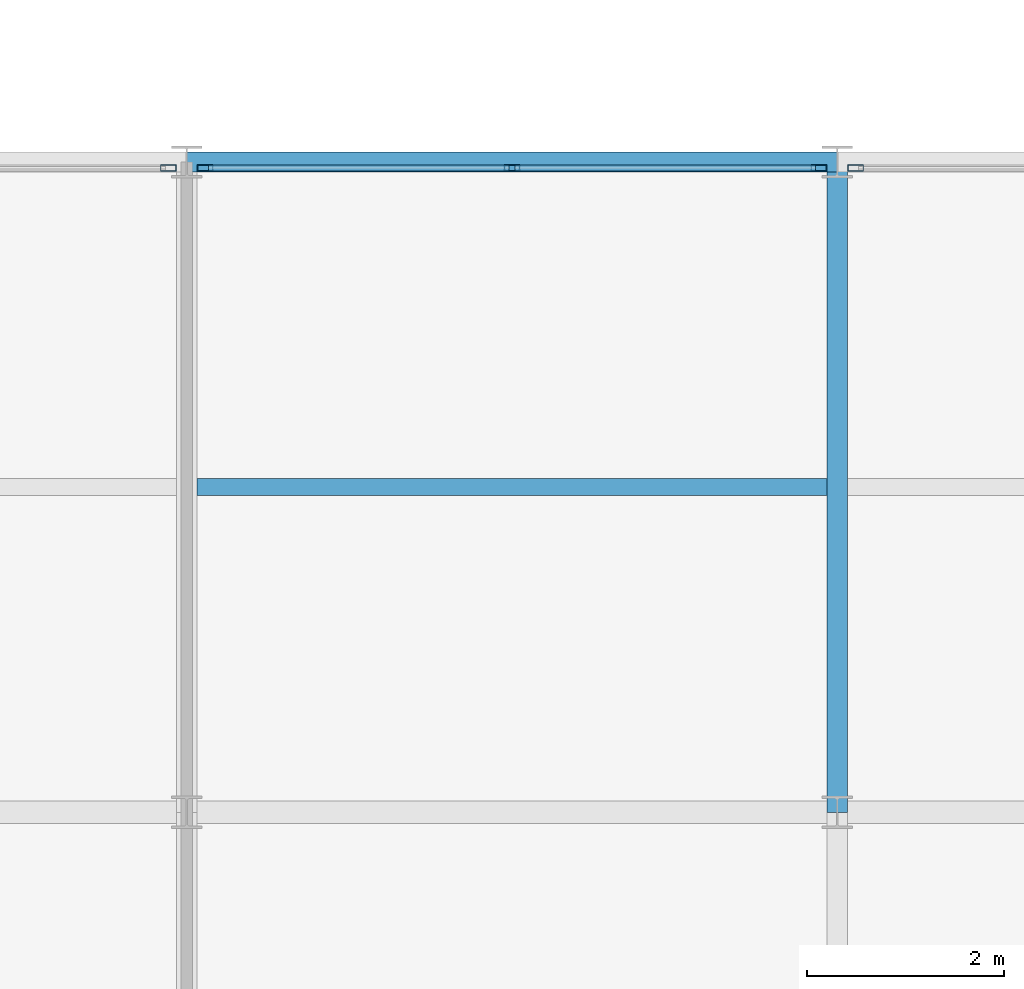
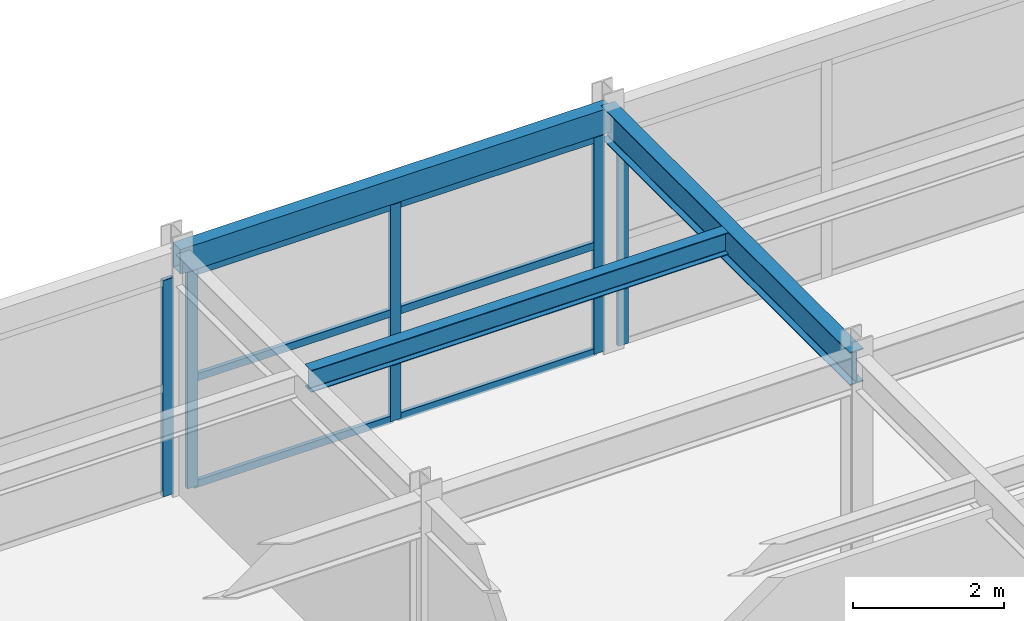
# One storey, part 55 of 134: 11 members, 3 beams, 3 elements without a shape of their own.
"""IFC4 building model written with IfcOpenShell, lengths in metres."""

from ifc_helpers import new_model, si_unit, direction, frame, origin, origin_2d, place, context, subcontext, project, spatial, hollow_rectangle, i_section, extrude, material, material_profile, profile_set, type_object, element, aggregate, save


model = new_model("IFC4")

# Units and contexts
model_context = context("Model", 3, precision=1e-05, world=origin(), true_north=direction((0.0, 1.0)))
body_context = subcontext(model_context, "Body", "Model", "MODEL_VIEW")
ifc_project = project(units=[si_unit("LENGTHUNIT", "METRE"), si_unit("AREAUNIT", "SQUARE_METRE"), si_unit("VOLUMEUNIT", "CUBIC_METRE"), si_unit("PLANEANGLEUNIT", "RADIAN"), si_unit("MASSUNIT", "GRAM", prefix="KILO")], contexts=[model_context])

# Site, building, storey
site_placement = place(None, origin())
site = spatial("IfcSite", under=ifc_project, at=site_placement, CompositionType="ELEMENT")
building_placement = place(site_placement, origin())
building = spatial("IfcBuilding", under=site, at=building_placement, Name="Karori Crest Natural Sciences Institute", CompositionType="ELEMENT")
storey_placement = place(building_placement, frame((0.0, 0.0, 21.699951171875)))
storey = spatial("IfcBuildingStorey", under=building, at=storey_placement, Name="L05", CompositionType="ELEMENT", Elevation=21.699951171875)

# Beams
ifc_material_1 = material(Name="Structural steel AS/NZS 3679.1 Grade 350", Category="steel")
ifc_material_profile_1 = material_profile(ifc_material_1, i_section(OverallWidth=0.208984375, OverallDepth=0.532958984375, WebThickness=0.01025390625, FlangeThickness=0.015625, FilletRadius=0.013916015625, at=origin_2d()), Name="530UB92.4")
ifc_profile_set_1 = profile_set([ifc_material_profile_1], Name="Structural steel AS/NZS 3679.1 Grade 350")
beam_type_1 = type_object("IfcBeamType", Name="BT-05", PredefinedType="BEAM", material=ifc_profile_set_1)
beam_1_placement = place(storey_placement, frame((116.800048828125, 14.0, 3.653564453125), z_axis=(0.0, 1.0, 0.0), x_axis=(-1.0, 0.0, 0.0)))
element("IfcBeam", 1, at=beam_1_placement, inside=storey, type_object=beam_type_1, Name="Beam B-2496", PredefinedType="BEAM", context=body_context, shape_type="SweptSolid", body=[
    extrude(i_section(OverallWidth=0.208984375, OverallDepth=0.532958984375, WebThickness=0.01025390625, FlangeThickness=0.015625, FilletRadius=0.013916015625, at=origin_2d()), origin(), (0.0, 0.0, 1.0), 6.60009765625),
])
ifc_material_profile_2 = material_profile(ifc_material_1, i_section(OverallWidth=0.172119140625, OverallDepth=0.35888671875, WebThickness=0.008056640625, FlangeThickness=0.012939453125, FilletRadius=0.010986328125, at=origin_2d()), Name="360UB56.7")
ifc_profile_set_2 = profile_set([ifc_material_profile_2], Name="Structural steel AS/NZS 3679.1 Grade 350")
beam_type_2 = type_object("IfcBeamType", Name="BT-08", PredefinedType="BEAM", material=ifc_profile_set_2)
beam_2_placement = place(storey_placement, frame((110.304443359375, 17.300048828125, 3.740478515625), z_axis=(1.0, 0.0, 0.0), x_axis=(0.0, 1.0, 0.0)))
element("IfcBeam", 2, at=beam_2_placement, inside=storey, type_object=beam_type_2, Name="Beam B-2521", PredefinedType="BEAM", context=body_context, shape_type="SweptSolid", body=[
    extrude(i_section(OverallWidth=0.172119140625, OverallDepth=0.35888671875, WebThickness=0.008056640625, FlangeThickness=0.012939453125, FilletRadius=0.010986328125, at=origin_2d()), origin(), (0.0, 0.0, 1.0), 6.39111328125),
])
ifc_material_2 = material(Name="Hollow structural steel AS/NZS 1163 Grade C350", Category="steel")
ifc_material_profile_3 = material_profile(ifc_material_2, hollow_rectangle(XDim=0.199951171875, YDim=0.39990234375, WallThickness=0.012451171875, at=origin_2d()), Name="RHS400x200x12.5")
ifc_profile_set_3 = profile_set([ifc_material_profile_3], Name="Hollow structural steel AS/NZS 1163 Grade C350")
beam_type_3 = type_object("IfcBeamType", Name="BT-14", PredefinedType="SPANDREL", material=ifc_profile_set_3)
beam_3_placement = place(storey_placement, frame((110.199951171875, 20.60009765625, 3.719970703125), z_axis=(1.0, 0.0, 0.0), x_axis=(0.0, 1.0, 0.0)))
element("IfcBeam", 3, at=beam_3_placement, inside=storey, type_object=beam_type_3, Name="Beam B-2480", PredefinedType="SPANDREL", context=body_context, shape_type="SweptSolid", body=[
    extrude(hollow_rectangle(XDim=0.199951171875, YDim=0.39990234375, WallThickness=0.012451171875, at=origin_2d()), origin(), (0.0, 0.0, 1.0), 6.60009765625),
])

# Curtain wall, member
ifc_material_3 = material(Name="Anodised architectural aluminium 6063-T6", Category="aluminium")
curtain_wall_type = type_object("IfcCurtainWallType", Name="CWT-20", PredefinedType="NOTDEFINED", material=ifc_material_3)
curtain_wall_1_placement = place(storey_placement, origin())
curtain_wall_1 = element("IfcCurtainWall", 4, at=curtain_wall_1_placement, inside=storey, type_object=curtain_wall_type, Name="Curtain wall CW-0340", PredefinedType="NOTDEFINED")
ifc_material_profile_4 = material_profile(ifc_material_3, hollow_rectangle(XDim=0.06494140625, YDim=0.159912109375, WallThickness=0.00390625, at=origin_2d()), Name="CWM160x65x4")
ifc_profile_set_4 = profile_set([ifc_material_profile_4], Name="Anodised architectural aluminium 6063-T6")
member_type_1 = type_object("IfcMemberType", Name="CWM-01", PredefinedType="MULLION", material=ifc_profile_set_4)
member_1_placement = place(storey_placement, frame((110.013916015625, 20.5400390625, 0.0), z_axis=(0.0, 0.0, 1.0), x_axis=(0.0, 1.0, 0.0)))
member_1 = element("IfcMember", 5, at=member_1_placement, type_object=member_type_1, Name="CW-0340 mullion 3", PredefinedType="MULLION", context=body_context, shape_type="SweptSolid", body=[
    extrude(hollow_rectangle(XDim=0.06494140625, YDim=0.159912109375, WallThickness=0.00390625, at=origin_2d()), origin(), (0.0, 0.0, 1.0), 3.505126953125),
])
aggregate(curtain_wall_1, [member_1])

# Curtain wall, members
curtain_wall_2_placement = place(storey_placement, origin())
curtain_wall_2 = element("IfcCurtainWall", 6, at=curtain_wall_2_placement, inside=storey, type_object=curtain_wall_type, Name="Curtain wall CW-0341", PredefinedType="NOTDEFINED")
member_2_placement = place(storey_placement, frame((110.385986328125, 20.5400390625, 0.0), z_axis=(0.0, 0.0, 1.0), x_axis=(0.0, 1.0, 0.0)))
member_2 = element("IfcMember", 7, at=member_2_placement, type_object=member_type_1, Name="CW-0341 mullion 1", PredefinedType="MULLION", context=body_context, shape_type="SweptSolid", body=[
    extrude(hollow_rectangle(XDim=0.06494140625, YDim=0.159912109375, WallThickness=0.00390625, at=origin_2d()), origin(), (0.0, 0.0, 1.0), 3.505126953125),
])
member_3_placement = place(storey_placement, frame((113.5, 20.5400390625, 0.0), z_axis=(0.0, 0.0, 1.0), x_axis=(0.0, 1.0, 0.0)))
member_3 = element("IfcMember", 8, at=member_3_placement, type_object=member_type_1, Name="CW-0341 mullion 2", PredefinedType="MULLION", context=body_context, shape_type="SweptSolid", body=[
    extrude(hollow_rectangle(XDim=0.06494140625, YDim=0.159912109375, WallThickness=0.00390625, at=origin_2d()), origin(), (0.0, 0.0, 1.0), 3.505126953125),
])
member_4_placement = place(storey_placement, frame((116.614013671875, 20.5400390625, 0.0), z_axis=(0.0, 0.0, 1.0), x_axis=(0.0, 1.0, 0.0)))
member_4 = element("IfcMember", 9, at=member_4_placement, type_object=member_type_1, Name="CW-0341 mullion 3", PredefinedType="MULLION", context=body_context, shape_type="SweptSolid", body=[
    extrude(hollow_rectangle(XDim=0.06494140625, YDim=0.159912109375, WallThickness=0.00390625, at=origin_2d()), origin(), (0.0, 0.0, 1.0), 3.505126953125),
])

# Curtain wall, member
curtain_wall_3_placement = place(storey_placement, origin())
curtain_wall_3 = element("IfcCurtainWall", 10, at=curtain_wall_3_placement, inside=storey, type_object=curtain_wall_type, Name="Curtain wall CW-0342", PredefinedType="NOTDEFINED")
member_5_placement = place(storey_placement, frame((116.986083984375, 20.5400390625, 0.0), z_axis=(0.0, 0.0, 1.0), x_axis=(0.0, 1.0, 0.0)))
member_5 = element("IfcMember", 11, at=member_5_placement, type_object=member_type_1, Name="CW-0342 mullion 1", PredefinedType="MULLION", context=body_context, shape_type="SweptSolid", body=[
    extrude(hollow_rectangle(XDim=0.06494140625, YDim=0.159912109375, WallThickness=0.00390625, at=origin_2d()), origin(), (0.0, 0.0, 1.0), 3.505126953125),
])
aggregate(curtain_wall_3, [member_5])

# Member
ifc_material_profile_5 = material_profile(ifc_material_3, hollow_rectangle(XDim=0.06005859375, YDim=0.1201171875, WallThickness=0.00390625, at=origin_2d()), Name="CWT120x60x4")
ifc_profile_set_5 = profile_set([ifc_material_profile_5], Name="Anodised architectural aluminium 6063-T6")
member_type_2 = type_object("IfcMemberType", Name="CWT-TR1", PredefinedType="USERDEFINED", material=ifc_profile_set_5)
member_6_placement = place(storey_placement, frame((110.41845703125, 20.5400390625, 0.030029296875), z_axis=(1.0, 0.0, 0.0), x_axis=(0.0, 1.0, 0.0)))
member_6 = element("IfcMember", 12, at=member_6_placement, type_object=member_type_2, Name="CW-0341 transom 1.1", ObjectType="TRANSOM", PredefinedType="USERDEFINED", context=body_context, shape_type="SweptSolid", body=[
    extrude(hollow_rectangle(XDim=0.06005859375, YDim=0.1201171875, WallThickness=0.00390625, at=origin_2d()), origin(), (0.0, 0.0, 1.0), 3.049072265625),
])

member_7_placement = place(storey_placement, frame((110.41845703125, 20.5400390625, 1.75244140625), z_axis=(1.0, 0.0, 0.0), x_axis=(0.0, 1.0, 0.0)))
member_7 = element("IfcMember", 13, at=member_7_placement, type_object=member_type_2, Name="CW-0341 transom 1.2", ObjectType="TRANSOM", PredefinedType="USERDEFINED", context=body_context, shape_type="SweptSolid", body=[
    extrude(hollow_rectangle(XDim=0.06005859375, YDim=0.1201171875, WallThickness=0.00390625, at=origin_2d()), origin(), (0.0, 0.0, 1.0), 3.049072265625),
])

member_8_placement = place(storey_placement, frame((110.41845703125, 20.5400390625, 3.47509765625), z_axis=(1.0, 0.0, 0.0), x_axis=(0.0, 1.0, 0.0)))
member_8 = element("IfcMember", 14, at=member_8_placement, type_object=member_type_2, Name="CW-0341 transom 1.3", ObjectType="TRANSOM", PredefinedType="USERDEFINED", context=body_context, shape_type="SweptSolid", body=[
    extrude(hollow_rectangle(XDim=0.06005859375, YDim=0.1201171875, WallThickness=0.00390625, at=origin_2d()), origin(), (0.0, 0.0, 1.0), 3.049072265625),
])

member_9_placement = place(storey_placement, frame((113.532470703125, 20.5400390625, 0.030029296875), z_axis=(1.0, 0.0, 0.0), x_axis=(0.0, 1.0, 0.0)))
member_9 = element("IfcMember", 15, at=member_9_placement, type_object=member_type_2, Name="CW-0341 transom 2.1", ObjectType="TRANSOM", PredefinedType="USERDEFINED", context=body_context, shape_type="SweptSolid", body=[
    extrude(hollow_rectangle(XDim=0.06005859375, YDim=0.1201171875, WallThickness=0.00390625, at=origin_2d()), origin(), (0.0, 0.0, 1.0), 3.049072265625),
])

member_10_placement = place(storey_placement, frame((113.532470703125, 20.5400390625, 1.75244140625), z_axis=(1.0, 0.0, 0.0), x_axis=(0.0, 1.0, 0.0)))
member_10 = element("IfcMember", 16, at=member_10_placement, type_object=member_type_2, Name="CW-0341 transom 2.2", ObjectType="TRANSOM", PredefinedType="USERDEFINED", context=body_context, shape_type="SweptSolid", body=[
    extrude(hollow_rectangle(XDim=0.06005859375, YDim=0.1201171875, WallThickness=0.00390625, at=origin_2d()), origin(), (0.0, 0.0, 1.0), 3.049072265625),
])

member_11_placement = place(storey_placement, frame((113.532470703125, 20.5400390625, 3.47509765625), z_axis=(1.0, 0.0, 0.0), x_axis=(0.0, 1.0, 0.0)))
member_11 = element("IfcMember", 17, at=member_11_placement, type_object=member_type_2, Name="CW-0341 transom 2.3", ObjectType="TRANSOM", PredefinedType="USERDEFINED", context=body_context, shape_type="SweptSolid", body=[
    extrude(hollow_rectangle(XDim=0.06005859375, YDim=0.1201171875, WallThickness=0.00390625, at=origin_2d()), origin(), (0.0, 0.0, 1.0), 3.049072265625),
])

aggregate(curtain_wall_2, [member_2, member_3, member_4, member_6, member_7, member_8, member_9, member_10, member_11])

save(model, "model.ifc")
